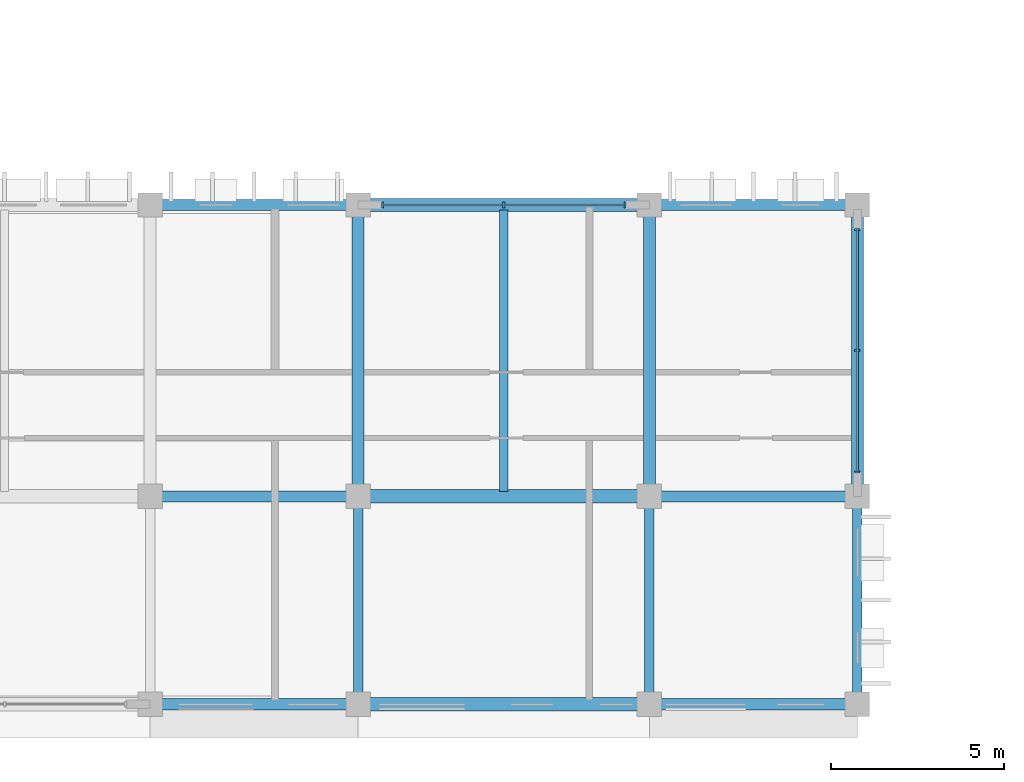
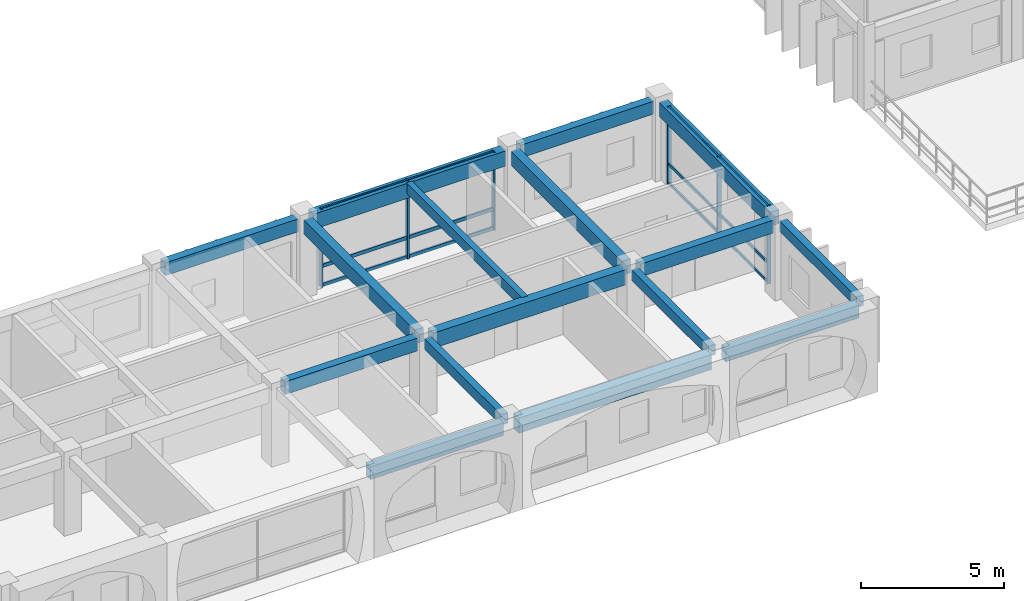
# One storey, part 15 of 88: 16 beams, 12 members, 2 elements without a shape of their own.
"""IFC4 building model written with IfcOpenShell, lengths in metres."""

from ifc_helpers import new_model, si_unit, direction, frame, origin, origin_2d, place, context, subcontext, project, spatial, rectangle, extrude, material, material_profile, profile_set, type_object, element, aggregate, save


model = new_model("IFC4")

# Units and contexts
model_context = context("Model", 3, precision=1e-05, world=origin(), true_north=direction((0.0, 1.0)))
body_context = subcontext(model_context, "Body", "Model", "MODEL_VIEW")
ifc_project = project(units=[si_unit("LENGTHUNIT", "METRE"), si_unit("AREAUNIT", "SQUARE_METRE"), si_unit("VOLUMEUNIT", "CUBIC_METRE"), si_unit("PLANEANGLEUNIT", "RADIAN"), si_unit("MASSUNIT", "GRAM", prefix="KILO"), si_unit("THERMODYNAMICTEMPERATUREUNIT", "KELVIN")], contexts=[model_context])

# Site, building, storey
site_placement = place(None, origin())
site = spatial("IfcSite", under=ifc_project, at=site_placement, CompositionType="ELEMENT")
building_placement = place(site_placement, origin())
building = spatial("IfcBuilding", under=site, at=building_placement, Name="Thalorik Housing Commons", CompositionType="ELEMENT")
storey_placement = place(building_placement, frame((0.0, 0.0, 4.5)))
storey = spatial("IfcBuildingStorey", under=building, at=storey_placement, Name="L01", CompositionType="ELEMENT", Elevation=4.5)

# Curtain wall, members
ifc_material_1 = material(Name="Anodised aluminium and solar-control low-E glass", Category="aluminium")
curtain_wall_type = type_object("IfcCurtainWallType", Name="ARC-CW-LOUNGE", PredefinedType="USERDEFINED", material=ifc_material_1)
curtain_wall_1_placement = place(storey_placement, origin())
curtain_wall_1 = element("IfcCurtainWall", 1, at=curtain_wall_1_placement, inside=storey, type_object=curtain_wall_type, Name="L01 Curtain Wall CW-RES-L01-C-133", ObjectType="CURTAIN WALL", PredefinedType="USERDEFINED")
ifc_material_2 = material(Name="Anodised aluminium 6063-T6", Category="aluminium")
ifc_material_profile_1 = material_profile(ifc_material_2, rectangle(XDim=0.06005859375, YDim=0.159912109375, at=origin_2d()), Name="ALU MUL 60x160", Category="aluminium")
ifc_profile_set_1 = profile_set([ifc_material_profile_1], Name="Anodised aluminium 6063-T6")
member_type_1 = type_object("IfcMemberType", Name="ARC-CW-MUL-60x160", PredefinedType="MULLION", material=ifc_profile_set_1)
member_1_placement = place(storey_placement, frame((57.60009765625, 15.10009765625, 0.0), z_axis=(0.0, 0.0, 1.0), x_axis=(0.0, 1.0, 0.0)))
member_1 = element("IfcMember", 2, at=member_1_placement, type_object=member_type_1, Name="CW-RES-L01-C-133 Mullion 1", PredefinedType="MULLION", context=body_context, shape_type="SweptSolid", body=[
    extrude(rectangle(XDim=0.06005859375, YDim=0.159912109375, at=origin_2d()), origin(), (0.0, 0.0, 1.0), 3.340087890625),
])
member_2_placement = place(storey_placement, frame((57.60009765625, 18.60009765625, 0.0), z_axis=(0.0, 0.0, 1.0), x_axis=(0.0, 1.0, 0.0)))
member_2 = element("IfcMember", 3, at=member_2_placement, type_object=member_type_1, Name="CW-RES-L01-C-133 Mullion 2", PredefinedType="MULLION", context=body_context, shape_type="SweptSolid", body=[
    extrude(rectangle(XDim=0.06005859375, YDim=0.159912109375, at=origin_2d()), origin(), (0.0, 0.0, 1.0), 3.340087890625),
])
member_3_placement = place(storey_placement, frame((57.60009765625, 22.10009765625, 0.0), z_axis=(0.0, 0.0, 1.0), x_axis=(0.0, 1.0, 0.0)))
member_3 = element("IfcMember", 4, at=member_3_placement, type_object=member_type_1, Name="CW-RES-L01-C-133 Mullion 3", PredefinedType="MULLION", context=body_context, shape_type="SweptSolid", body=[
    extrude(rectangle(XDim=0.06005859375, YDim=0.159912109375, at=origin_2d()), origin(), (0.0, 0.0, 1.0), 3.340087890625),
])

curtain_wall_2_placement = place(storey_placement, origin())
curtain_wall_2 = element("IfcCurtainWall", 5, at=curtain_wall_2_placement, inside=storey, type_object=curtain_wall_type, Name="L01 Curtain Wall CW-RES-L01-C-134", ObjectType="CURTAIN WALL", PredefinedType="USERDEFINED")
ifc_material_profile_2 = material_profile(ifc_material_2, rectangle(XDim=0.06494140625, YDim=0.179931640625, at=origin_2d()), Name="ALU MUL 65x180", Category="aluminium")
ifc_profile_set_2 = profile_set([ifc_material_profile_2], Name="Anodised aluminium 6063-T6")
member_type_2 = type_object("IfcMemberType", Name="ARC-CW-MUL-65x180", PredefinedType="MULLION", material=ifc_profile_set_2)
member_4_placement = place(storey_placement, frame((50.89990234375, 22.800048828125, 0.0), z_axis=(0.0, 0.0, 1.0), x_axis=(-1.0, 0.0, 0.0)))
member_4 = element("IfcMember", 6, at=member_4_placement, type_object=member_type_2, Name="CW-RES-L01-C-134 Mullion 1", PredefinedType="MULLION", context=body_context, shape_type="SweptSolid", body=[
    extrude(rectangle(XDim=0.06494140625, YDim=0.179931640625, at=origin_2d()), origin(), (0.0, 0.0, 1.0), 3.340087890625),
])
member_5_placement = place(storey_placement, frame((47.39990234375, 22.800048828125, 0.0), z_axis=(0.0, 0.0, 1.0), x_axis=(-1.0, 0.0, 0.0)))
member_5 = element("IfcMember", 7, at=member_5_placement, type_object=member_type_2, Name="CW-RES-L01-C-134 Mullion 2", PredefinedType="MULLION", context=body_context, shape_type="SweptSolid", body=[
    extrude(rectangle(XDim=0.06494140625, YDim=0.179931640625, at=origin_2d()), origin(), (0.0, 0.0, 1.0), 3.340087890625),
])
member_6_placement = place(storey_placement, frame((43.89990234375, 22.800048828125, 0.0), z_axis=(0.0, 0.0, 1.0), x_axis=(-1.0, 0.0, 0.0)))
member_6 = element("IfcMember", 8, at=member_6_placement, type_object=member_type_2, Name="CW-RES-L01-C-134 Mullion 3", PredefinedType="MULLION", context=body_context, shape_type="SweptSolid", body=[
    extrude(rectangle(XDim=0.06494140625, YDim=0.179931640625, at=origin_2d()), origin(), (0.0, 0.0, 1.0), 3.340087890625),
])

# Member
ifc_material_profile_3 = material_profile(ifc_material_2, rectangle(XDim=0.06005859375, YDim=0.1201171875, at=origin_2d()), Name="ALU TRN 60x120", Category="aluminium")
ifc_profile_set_3 = profile_set([ifc_material_profile_3], Name="Anodised aluminium 6063-T6")
member_type_3 = type_object("IfcMemberType", Name="ARC-CW-TRN-60x120", PredefinedType="USERDEFINED", material=ifc_profile_set_3)
member_7_placement = place(storey_placement, frame((57.60009765625, 15.10009765625, 0.054931640625), z_axis=(0.0, 1.0, 0.0), x_axis=(-1.0, 0.0, 0.0)))
member_7 = element("IfcMember", 9, at=member_7_placement, type_object=member_type_3, Name="CW-RES-L01-C-133 Transom 1", ObjectType="TRANSOM", PredefinedType="USERDEFINED", context=body_context, shape_type="SweptSolid", body=[
    extrude(rectangle(XDim=0.06005859375, YDim=0.1201171875, at=origin_2d()), origin(), (0.0, 0.0, 1.0), 7.0),
])

member_8_placement = place(storey_placement, frame((57.60009765625, 15.10009765625, 0.8798828125), z_axis=(0.0, 1.0, 0.0), x_axis=(-1.0, 0.0, 0.0)))
member_8 = element("IfcMember", 10, at=member_8_placement, type_object=member_type_3, Name="CW-RES-L01-C-133 Transom 2", ObjectType="TRANSOM", PredefinedType="USERDEFINED", context=body_context, shape_type="SweptSolid", body=[
    extrude(rectangle(XDim=0.06005859375, YDim=0.1201171875, at=origin_2d()), origin(), (0.0, 0.0, 1.0), 7.0),
])

member_9_placement = place(storey_placement, frame((57.60009765625, 15.10009765625, 3.284912109375), z_axis=(0.0, 1.0, 0.0), x_axis=(-1.0, 0.0, 0.0)))
member_9 = element("IfcMember", 11, at=member_9_placement, type_object=member_type_3, Name="CW-RES-L01-C-133 Transom 3", ObjectType="TRANSOM", PredefinedType="USERDEFINED", context=body_context, shape_type="SweptSolid", body=[
    extrude(rectangle(XDim=0.06005859375, YDim=0.1201171875, at=origin_2d()), origin(), (0.0, 0.0, 1.0), 7.0),
])

aggregate(curtain_wall_1, [member_1, member_2, member_3, member_7, member_8, member_9])

ifc_material_profile_4 = material_profile(ifc_material_2, rectangle(XDim=0.06494140625, YDim=0.14990234375, at=origin_2d()), Name="ALU TRN 65x150", Category="aluminium")
ifc_profile_set_4 = profile_set([ifc_material_profile_4], Name="Anodised aluminium 6063-T6")
member_type_4 = type_object("IfcMemberType", Name="ARC-CW-TRN-65x150", PredefinedType="USERDEFINED", material=ifc_profile_set_4)
member_10_placement = place(storey_placement, frame((50.89990234375, 22.800048828125, 0.054931640625), z_axis=(-1.0, 0.0, 0.0), x_axis=(0.0, -1.0, 0.0)))
member_10 = element("IfcMember", 12, at=member_10_placement, type_object=member_type_4, Name="CW-RES-L01-C-134 Transom 1", ObjectType="TRANSOM", PredefinedType="USERDEFINED", context=body_context, shape_type="SweptSolid", body=[
    extrude(rectangle(XDim=0.06494140625, YDim=0.14990234375, at=origin_2d()), origin(), (0.0, 0.0, 1.0), 7.0),
])

member_11_placement = place(storey_placement, frame((50.89990234375, 22.800048828125, 0.8798828125), z_axis=(-1.0, 0.0, 0.0), x_axis=(0.0, -1.0, 0.0)))
member_11 = element("IfcMember", 13, at=member_11_placement, type_object=member_type_4, Name="CW-RES-L01-C-134 Transom 2", ObjectType="TRANSOM", PredefinedType="USERDEFINED", context=body_context, shape_type="SweptSolid", body=[
    extrude(rectangle(XDim=0.06494140625, YDim=0.14990234375, at=origin_2d()), origin(), (0.0, 0.0, 1.0), 7.0),
])

member_12_placement = place(storey_placement, frame((50.89990234375, 22.800048828125, 3.284912109375), z_axis=(-1.0, 0.0, 0.0), x_axis=(0.0, -1.0, 0.0)))
member_12 = element("IfcMember", 14, at=member_12_placement, type_object=member_type_4, Name="CW-RES-L01-C-134 Transom 3", ObjectType="TRANSOM", PredefinedType="USERDEFINED", context=body_context, shape_type="SweptSolid", body=[
    extrude(rectangle(XDim=0.06494140625, YDim=0.14990234375, at=origin_2d()), origin(), (0.0, 0.0, 1.0), 7.0),
])

aggregate(curtain_wall_2, [member_4, member_5, member_6, member_10, member_11, member_12])

# Beams
ifc_material_3 = material(Name="Precast concrete C40/50", Category="concrete")
ifc_material_profile_5 = material_profile(ifc_material_3, rectangle(XDim=0.280029296875, YDim=0.449951171875, at=origin_2d()), Name="PC 280x450", Category="concrete")
ifc_profile_set_5 = profile_set([ifc_material_profile_5], Name="Precast concrete C40/50")
beam_type_1 = type_object("IfcBeamType", Name="STR-BM-PC280x450", PredefinedType="BEAM", material=ifc_profile_set_5)
for number, where, z_axis, x_axis, name in (
    (15, (43.199951171875, 8.699951171875, 3.114990234375), (0.0, 1.0, 0.0), (-1.0, 0.0, 0.0), "L01 Beam B-450"),
    (16, (51.60009765625, 8.699951171875, 3.114990234375), (0.0, 1.0, 0.0), (-1.0, 0.0, 0.0), "L01 Beam B-450"),
    (17, (57.60009765625, 8.699951171875, 3.114990234375), (0.0, 1.0, 0.0), (-1.0, 0.0, 0.0), "L01 Beam B-450"),
):
    element("IfcBeam", number, at=place(storey_placement, frame(where, z_axis=z_axis, x_axis=x_axis)), inside=storey, type_object=beam_type_1, Name=name, PredefinedType="BEAM", context=body_context, shape_type="SweptSolid", body=[
        extrude(rectangle(XDim=0.280029296875, YDim=0.449951171875, at=origin_2d()), origin(), (0.0, 0.0, 1.0), 5.400146484375),
    ])
ifc_material_profile_6 = material_profile(ifc_material_3, rectangle(XDim=0.320068359375, YDim=0.550048828125, at=origin_2d()), Name="PC 320x550", Category="concrete")
ifc_profile_set_6 = profile_set([ifc_material_profile_6], Name="Precast concrete C40/50")
beam_type_2 = type_object("IfcBeamType", Name="STR-BM-PC320x550", PredefinedType="BEAM", material=ifc_profile_set_6)
beam_1_placement = place(storey_placement, frame((37.5, 8.39990234375, 3.06494140625), z_axis=(1.0, 0.0, 0.0), x_axis=(0.0, 1.0, 0.0)))
element("IfcBeam", 18, at=beam_1_placement, inside=storey, type_object=beam_type_2, Name="L01 Beam B-550", PredefinedType="BEAM", context=body_context, shape_type="SweptSolid", body=[
    extrude(rectangle(XDim=0.320068359375, YDim=0.550048828125, at=origin_2d()), origin(), (0.0, 0.0, 1.0), 5.39990234375),
])
beam_2_placement = place(storey_placement, frame((51.89990234375, 8.39990234375, 3.06494140625), z_axis=(1.0, 0.0, 0.0), x_axis=(0.0, 1.0, 0.0)))
element("IfcBeam", 19, at=beam_2_placement, inside=storey, type_object=beam_type_2, Name="L01 Beam B-550", PredefinedType="BEAM", context=body_context, shape_type="SweptSolid", body=[
    extrude(rectangle(XDim=0.320068359375, YDim=0.550048828125, at=origin_2d()), origin(), (0.0, 0.0, 1.0), 5.400146484375),
])
beam_3_placement = place(storey_placement, frame((37.5, 14.39990234375, 3.06494140625), z_axis=(1.0, 0.0, 0.0), x_axis=(0.0, 1.0, 0.0)))
element("IfcBeam", 20, at=beam_3_placement, inside=storey, type_object=beam_type_2, Name="L01 Beam B-550", PredefinedType="BEAM", context=body_context, shape_type="SweptSolid", body=[
    extrude(rectangle(XDim=0.320068359375, YDim=0.550048828125, at=origin_2d()), origin(), (0.0, 0.0, 1.0), 5.39990234375),
])
beam_4_placement = place(storey_placement, frame((51.89990234375, 14.39990234375, 3.06494140625), z_axis=(1.0, 0.0, 0.0), x_axis=(0.0, 1.0, 0.0)))
element("IfcBeam", 21, at=beam_4_placement, inside=storey, type_object=beam_type_2, Name="L01 Beam B-550", PredefinedType="BEAM", context=body_context, shape_type="SweptSolid", body=[
    extrude(rectangle(XDim=0.320068359375, YDim=0.550048828125, at=origin_2d()), origin(), (0.0, 0.0, 1.0), 5.400146484375),
])
beam_5_placement = place(storey_placement, frame((37.5, 22.800048828125, 3.06494140625), z_axis=(1.0, 0.0, 0.0), x_axis=(0.0, 1.0, 0.0)))
element("IfcBeam", 22, at=beam_5_placement, inside=storey, type_object=beam_type_2, Name="L01 Beam B-550", PredefinedType="BEAM", context=body_context, shape_type="SweptSolid", body=[
    extrude(rectangle(XDim=0.320068359375, YDim=0.550048828125, at=origin_2d()), origin(), (0.0, 0.0, 1.0), 5.39990234375),
])
beam_6_placement = place(storey_placement, frame((51.89990234375, 22.800048828125, 3.06494140625), z_axis=(1.0, 0.0, 0.0), x_axis=(0.0, 1.0, 0.0)))
element("IfcBeam", 23, at=beam_6_placement, inside=storey, type_object=beam_type_2, Name="L01 Beam B-550", PredefinedType="BEAM", context=body_context, shape_type="SweptSolid", body=[
    extrude(rectangle(XDim=0.320068359375, YDim=0.550048828125, at=origin_2d()), origin(), (0.0, 0.0, 1.0), 5.400146484375),
])
ifc_material_profile_7 = material_profile(ifc_material_3, rectangle(XDim=0.35009765625, YDim=0.60009765625, at=origin_2d()), Name="PC 350x600", Category="concrete")
ifc_profile_set_7 = profile_set([ifc_material_profile_7], Name="Precast concrete C40/50")
beam_type_3 = type_object("IfcBeamType", Name="STR-BM-PC350x600", PredefinedType="BEAM", material=ifc_profile_set_7)
for number, where, z_axis, x_axis, name in (
    (24, (43.199951171875, 14.699951171875, 3.0400390625), (0.0, 1.0, 0.0), (-1.0, 0.0, 0.0), "L01 Beam B-600"),
    (25, (51.60009765625, 14.699951171875, 3.0400390625), (0.0, 1.0, 0.0), (-1.0, 0.0, 0.0), "L01 Beam B-600"),
    (26, (57.60009765625, 14.699951171875, 3.0400390625), (0.0, 1.0, 0.0), (-1.0, 0.0, 0.0), "L01 Beam B-600"),
):
    element("IfcBeam", number, at=place(storey_placement, frame(where, z_axis=z_axis, x_axis=x_axis)), inside=storey, type_object=beam_type_3, Name=name, PredefinedType="BEAM", context=body_context, shape_type="SweptSolid", body=[
        extrude(rectangle(XDim=0.35009765625, YDim=0.60009765625, at=origin_2d()), origin(), (0.0, 0.0, 1.0), 7.800048828125),
    ])
ifc_material_profile_8 = material_profile(ifc_material_3, rectangle(XDim=0.3798828125, YDim=0.64990234375, at=origin_2d()), Name="PC 380x650", Category="concrete")
ifc_profile_set_8 = profile_set([ifc_material_profile_8], Name="Precast concrete C40/50")
beam_type_4 = type_object("IfcBeamType", Name="STR-BM-PC380x650", PredefinedType="BEAM", material=ifc_profile_set_8)
for number, where, z_axis, x_axis, name in (
    (27, (43.5, 8.39990234375, 3.014892578125), (1.0, 0.0, 0.0), (0.0, 1.0, 0.0), "L01 Beam B-650"),
    (28, (43.5, 14.39990234375, 3.014892578125), (1.0, 0.0, 0.0), (0.0, 1.0, 0.0), "L01 Beam B-650"),
    (29, (43.5, 22.800048828125, 3.014892578125), (1.0, 0.0, 0.0), (0.0, 1.0, 0.0), "L01 Beam B-650"),
):
    element("IfcBeam", number, at=place(storey_placement, frame(where, z_axis=z_axis, x_axis=x_axis)), inside=storey, type_object=beam_type_4, Name=name, PredefinedType="BEAM", context=body_context, shape_type="SweptSolid", body=[
        extrude(rectangle(XDim=0.3798828125, YDim=0.64990234375, at=origin_2d()), origin(), (0.0, 0.0, 1.0), 7.800048828125),
    ])
ifc_material_profile_9 = material_profile(ifc_material_3, rectangle(XDim=0.239990234375, YDim=0.43994140625, at=origin_2d()), Name="PC JST 240x440", Category="concrete")
ifc_profile_set_9 = profile_set([ifc_material_profile_9], Name="Precast concrete C40/50")
beam_type_5 = type_object("IfcBeamType", Name="STR-JST-PC240x440", PredefinedType="JOIST", material=ifc_profile_set_9)
beam_7_placement = place(storey_placement, frame((47.39990234375, 14.5400390625, 3.1201171875), z_axis=(0.0, 1.0, 0.0), x_axis=(-1.0, 0.0, 0.0)))
element("IfcBeam", 30, at=beam_7_placement, inside=storey, type_object=beam_type_5, Name="L01 Beam J-440", PredefinedType="JOIST", context=body_context, shape_type="SweptSolid", body=[
    extrude(rectangle(XDim=0.239990234375, YDim=0.43994140625, at=origin_2d()), origin(), (0.0, 0.0, 1.0), 8.119873046875),
])

save(model, "model.ifc")
